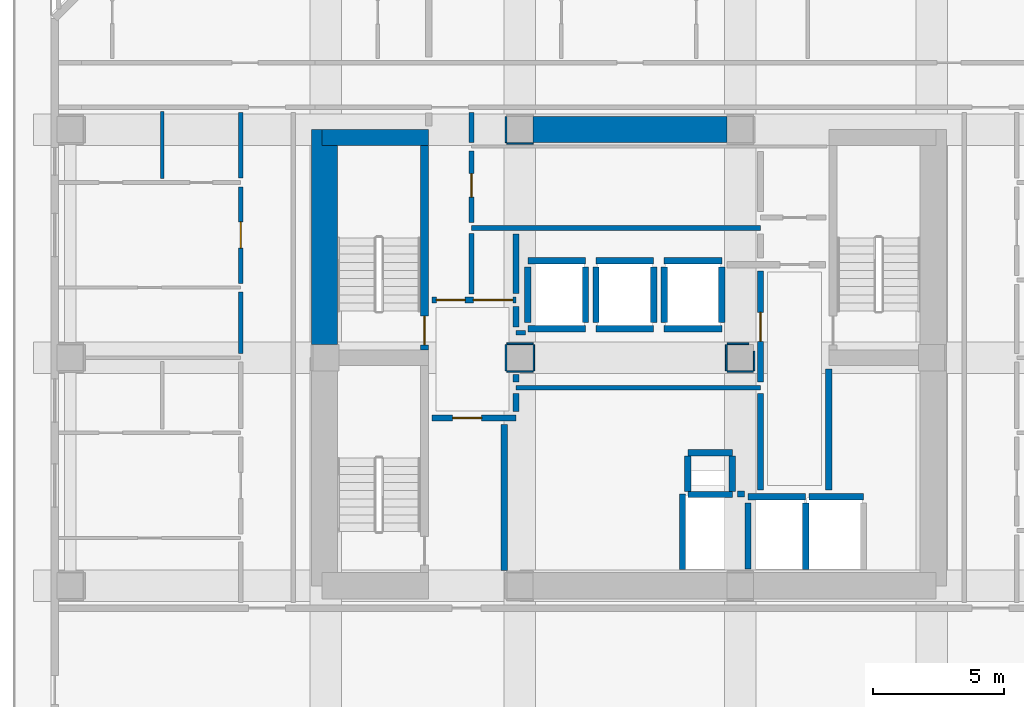
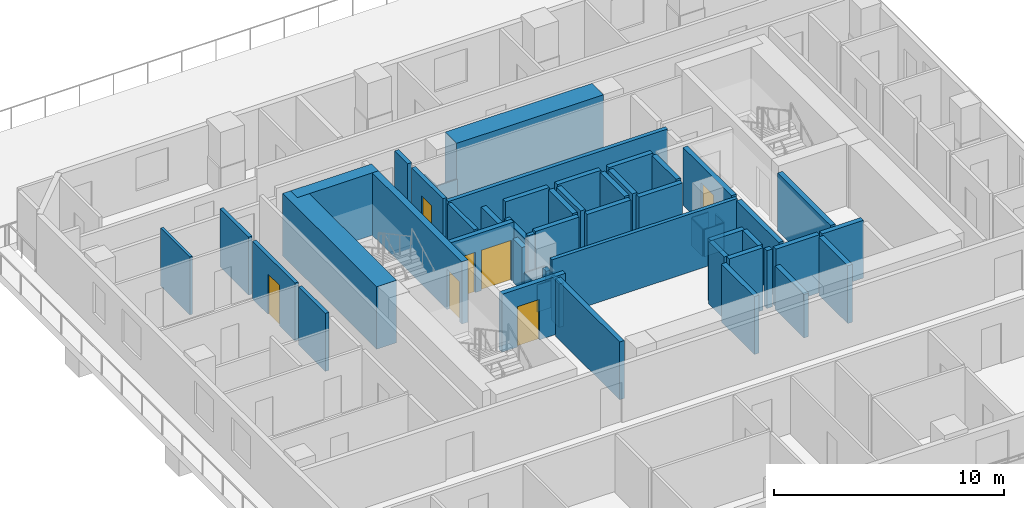
# One storey, part 4 of 11: 56 walls, 7 doors, 7 openings.
"""IFC4 building model written with IfcOpenShell, lengths in metres."""

import ifcopenshell
import ifcopenshell.guid

model = None  # the IFC model being written
_history = None  # IfcOwnerHistory: only IFC2X3 demands one
_inside = {}  # id of a spatial element -> (the spatial element, [elements in it])
_under = {}  # id of a project, library or spatial element -> (it, [spatial elements below it])
_declared = {}  # id of a project -> (the project, [libraries it declares])
_typed = {}  # id of a type object -> (the type object, [elements of that type])
_made_of = {}  # id of a material, layer set ... -> (it, [elements and type objects made of it])


def new_model(schema):
    """Start an empty IFC model of exactly this schema.

    Asked for "IFC4X3", IfcOpenShell would pick the latest addendum, in which some entities
    have other attributes; the version numbers below select the first issue.
    IFC2X3 requires an IfcOwnerHistory on every rooted entity: one is made here for all.
    """
    global model, _history
    if schema == "IFC4X3":
        model = ifcopenshell.file(schema_version=(4, 3, 0, 0))
    else:
        model = ifcopenshell.file(schema=schema)
    _inside.clear()
    _under.clear()
    _declared.clear()
    _typed.clear()
    _made_of.clear()
    _history = None
    if model.schema == "IFC2X3":
        org = make("IfcOrganization", Name="unknown")
        user = make(
            "IfcPersonAndOrganization",
            ThePerson=make("IfcPerson", FamilyName="unknown"),
            TheOrganization=org,
        )
        app = make(
            "IfcApplication",
            ApplicationDeveloper=org,
            Version="unknown",
            ApplicationFullName="unknown",
            ApplicationIdentifier="unknown",
        )
        _history = make(
            "IfcOwnerHistory",
            OwningUser=user,
            OwningApplication=app,
            ChangeAction="ADDED",
            CreationDate=0,
        )
    return model


def make(cls, **values):
    """One entity of the class cls with the attributes given. An attribute that is None is left unset."""
    return model.create_entity(
        cls, **{name: value for name, value in values.items() if value is not None}
    )


def rooted(cls, **values):
    """An entity with a GlobalId (a new one), such as an element, a storey or a relation."""
    return make(cls, GlobalId=ifcopenshell.guid.new(), OwnerHistory=_history, **values)


def si_unit(unit_type, name, prefix=None):
    """IfcSIUnit, for example si_unit("LENGTHUNIT", "METRE", prefix="MILLI")."""
    return make("IfcSIUnit", UnitType=unit_type, Prefix=prefix, Name=name)


def assignment(units):
    """IfcUnitAssignment: the units of a project."""
    return None if units is None else make("IfcUnitAssignment", Units=units)


def point(xyz):
    """IfcCartesianPoint."""
    return None if xyz is None else make("IfcCartesianPoint", Coordinates=xyz)


def direction(xyz):
    """IfcDirection."""
    return None if xyz is None else make("IfcDirection", DirectionRatios=xyz)


def frame(location, z_axis=None, x_axis=None):
    """IfcAxis2Placement3D, a coordinate frame: its origin and axes. An axis left out is left unset."""
    return make(
        "IfcAxis2Placement3D",
        Location=point(location),
        Axis=direction(z_axis),
        RefDirection=direction(x_axis),
    )


def frame_2d(location, x_axis=None):
    """IfcAxis2Placement2D, a coordinate frame in the plane: its origin and x axis."""
    return make(
        "IfcAxis2Placement2D", Location=point(location), RefDirection=direction(x_axis)
    )


def origin():
    """The frame at (0, 0, 0) with its axes left unset."""
    return frame((0.0, 0.0, 0.0))


def place(relative_to, where):
    """IfcLocalPlacement: puts the frame where relative to a parent placement (None: the world)."""
    return make(
        "IfcLocalPlacement", PlacementRelTo=relative_to, RelativePlacement=where
    )


def context(
    kind, dimensions, precision=None, world=None, true_north=None, identifier=None
):
    """IfcGeometricRepresentationContext, for example the 3D "Model" context."""
    return make(
        "IfcGeometricRepresentationContext",
        ContextIdentifier=identifier,
        ContextType=kind,
        CoordinateSpaceDimension=dimensions,
        Precision=precision,
        WorldCoordinateSystem=world,
        TrueNorth=true_north,
    )


def subcontext(parent, identifier, kind, view, scale=None):
    """IfcGeometricRepresentationSubContext, for example "Body" below "Model"."""
    return make(
        "IfcGeometricRepresentationSubContext",
        ContextIdentifier=identifier,
        ContextType=kind,
        ParentContext=parent,
        TargetScale=scale,
        TargetView=view,
    )


def project(units=None, contexts=None):
    """IfcProject with its units and contexts."""
    return rooted(
        "IfcProject",
        Name="project",
        RepresentationContexts=contexts,
        UnitsInContext=assignment(units),
    )


def spatial(cls, under=None, at=None, **own):
    """A site, building, storey or space (cls), placed at a placement, below another one or the project."""
    s = rooted(cls, ObjectPlacement=at, **own)
    if under is not None:
        _under.setdefault(under.id(), (under, []))[1].append(s)
    return s


def profile(cls, at=None, kind="AREA", **sizes):
    """A parametric profile (cls). Its sizes go by their IFC names, for example OverallWidth=200.0."""
    return make(cls, ProfileType=kind, Position=at, **sizes)


def rectangle(**sizes):
    """IfcRectangleProfileDef."""
    return profile("IfcRectangleProfileDef", **sizes)


def extrude(swept, where, along, depth):
    """IfcExtrudedAreaSolid: the profile swept, set in the frame where, extruded along a direction by depth."""
    return make(
        "IfcExtrudedAreaSolid",
        SweptArea=swept,
        Position=where,
        ExtrudedDirection=direction(along),
        Depth=depth,
    )


def shape(context_of_items, identifier, shape_type, items):
    """IfcShapeRepresentation: the items that make up one representation, for example the "Body"."""
    return make(
        "IfcShapeRepresentation",
        ContextOfItems=context_of_items,
        RepresentationIdentifier=identifier,
        RepresentationType=shape_type,
        Items=items,
    )


def material(Name=None, Category=None):
    """IfcMaterial."""
    return make("IfcMaterial", Name=Name, Category=Category)


def layer(
    of_material, thickness, ventilated=None, Name=None, Category=None, Priority=None
):
    """IfcMaterialLayer: one layer of a wall or slab, of a material (None: an air gap)."""
    return make(
        "IfcMaterialLayer",
        Material=of_material,
        LayerThickness=thickness,
        IsVentilated=ventilated,
        Name=Name,
        Category=Category,
        Priority=Priority,
    )


def layer_set(layers, Name=None):
    """IfcMaterialLayerSet."""
    return make("IfcMaterialLayerSet", MaterialLayers=layers, LayerSetName=Name)


def made_of(thing, what):
    """Note that an element or type object is made of a material, layer set ...; save() writes the relation."""
    if what is not None:
        _made_of.setdefault(what.id(), (what, []))[1].append(thing)
    return thing


def type_object(cls, material=None, **own):
    """A type object (cls), such as IfcWallType, which elements share."""
    return made_of(rooted(cls, **own), material)


def element(
    cls,
    number,
    at=None,
    inside=None,
    cuts=None,
    type_object=None,
    material=None,
    context=None,
    identifier="Body",
    shape_type=None,
    held_by="IfcProductDefinitionShape",
    body=None,
    shapes=None,
    **own,
):
    """One element of the class cls, such as IfcWall. Its Tag is "e" and its number.

    at: its placement. inside: the storey or other place that contains it. cuts: it is an
    opening in that element (IfcRelVoidsElement). A single representation is given by context,
    identifier, shape_type and body (its items); several are given by shapes. held_by: the class
    of the entity that holds the representations. save() writes the other relations.
    """
    e = rooted(cls, Tag="e%d" % number, ObjectPlacement=at, **own)
    if body is not None:
        shapes = [shape(context, identifier, shape_type, body)]
    if shapes is not None:
        e.Representation = make(held_by, Representations=shapes)
    if inside is not None:
        _inside.setdefault(inside.id(), (inside, []))[1].append(e)
    if cuts is not None:
        rooted(
            "IfcRelVoidsElement", RelatingBuildingElement=cuts, RelatedOpeningElement=e
        )
    if type_object is not None:
        _typed.setdefault(type_object.id(), (type_object, []))[1].append(e)
    return made_of(e, material)


def fill(opening, filler):
    """IfcRelFillsElement: the door or window that sits in an opening."""
    return rooted(
        "IfcRelFillsElement",
        RelatingOpeningElement=opening,
        RelatedBuildingElement=filler,
    )


def aggregate(whole, parts):
    """IfcRelAggregates: a whole, such as a stair, and the parts it consists of."""
    return rooted("IfcRelAggregates", RelatingObject=whole, RelatedObjects=parts)


def save(model, path):
    """Write the relations noted so far, then the file.

    IfcRelAggregates (storeys below a building ...), IfcRelContainedInSpatialStructure (elements
    in a storey), IfcRelDefinesByType, IfcRelAssociatesMaterial and IfcRelDeclares: one each for
    every whole, place, type object, material and project.
    """
    for whole, parts in _under.values():
        aggregate(whole, parts)
    for where, things in _inside.values():
        rooted(
            "IfcRelContainedInSpatialStructure",
            RelatedElements=things,
            RelatingStructure=where,
        )
    for kind, things in _typed.values():
        rooted("IfcRelDefinesByType", RelatedObjects=things, RelatingType=kind)
    for what, things in _made_of.values():
        rooted("IfcRelAssociatesMaterial", RelatedObjects=things, RelatingMaterial=what)
    for by, libraries in _declared.values():
        rooted("IfcRelDeclares", RelatingContext=by, RelatedDefinitions=libraries)
    model.write(path)


model = new_model("IFC4")

# Units and contexts
model_context = context("Model", 3, precision=1e-05, world=origin(), true_north=direction((0.0, 1.0)))
body_context = subcontext(model_context, "Body", "Model", "MODEL_VIEW")
ifc_project = project(units=[si_unit("LENGTHUNIT", "METRE"), si_unit("AREAUNIT", "SQUARE_METRE"), si_unit("VOLUMEUNIT", "CUBIC_METRE"), si_unit("PLANEANGLEUNIT", "RADIAN"), si_unit("MASSUNIT", "GRAM", prefix="KILO")], contexts=[model_context])

# Site, building, storey
site_placement = place(None, origin())
site = spatial("IfcSite", under=ifc_project, at=site_placement, CompositionType="ELEMENT")
building_placement = place(site_placement, origin())
building = spatial("IfcBuilding", under=site, at=building_placement, Name="Solanera Arch Residences", CompositionType="ELEMENT")
storey_placement = place(building_placement, frame((0.0, 0.0, 106.080078125)))
storey = spatial("IfcBuildingStorey", under=building, at=storey_placement, Name="L30", CompositionType="ELEMENT", Elevation=106.080078125)

# Walls
ifc_material_1 = material(Name="Fire-Rated Gypsum Stud Partition", Category="gypsum")
ifc_layer_1 = layer(ifc_material_1, 0.06005859375)
ifc_layer_set_1 = layer_set([ifc_layer_1], Name="Fire-Rated Gypsum Stud Partition")
wall_type_1 = type_object("IfcWallType", Name="Column Acoustic Furring Wall 60", PredefinedType="PARTITIONING", material=ifc_layer_set_1)
for number, where, z_axis, x_axis, name in (
    (1, (20.300048828125, 38.867919921875, 0.0), (0.0, 0.0, 1.0), (1.0, 0.0, 0.0), "L30 Column Furring 3S"),
    (2, (20.26806640625, 38.89990234375, 0.0), (0.0, 0.0, 1.0), (0.0, 1.0, 0.0), "L30 Column Furring 3W"),
    (3, (20.300048828125, 30.16796875, 0.0), (0.0, 0.0, 1.0), (1.0, 0.0, 0.0), "L30 Column Furring 7S"),
    (4, (20.300048828125, 31.23193359375, 0.0), (0.0, 0.0, 1.0), (1.0, 0.0, 0.0), "L30 Column Furring 7N"),
    (5, (20.26806640625, 30.199951171875, 0.0), (0.0, 0.0, 1.0), (0.0, 1.0, 0.0), "L30 Column Furring 7W"),
    (6, (21.33203125, 30.199951171875, 0.0), (0.0, 0.0, 1.0), (0.0, 1.0, 0.0), "L30 Column Furring 7E"),
    (7, (28.699951171875, 30.16796875, 0.0), (0.0, 0.0, 1.0), (1.0, 0.0, 0.0), "L30 Column Furring 8S"),
):
    element("IfcWall", number, at=place(storey_placement, frame(where, z_axis=z_axis, x_axis=x_axis)), inside=storey, type_object=wall_type_1, Name=name, PredefinedType="PARTITIONING", context=body_context, shape_type="SweptSolid", body=[
        extrude(rectangle(XDim=1.0, YDim=0.06005859375, at=frame_2d((0.5, 0.0))), origin(), (0.0, 0.0, 1.0), 1.449951171875),
    ])
wall_1_placement = place(storey_placement, frame((28.699951171875, 31.23193359375, 0.0), z_axis=(0.0, 0.0, 1.0), x_axis=(1.0, 0.0, 0.0)))
element("IfcWall", 8, at=wall_1_placement, inside=storey, type_object=wall_type_1, Name="L30 Column Furring 8N", PredefinedType="PARTITIONING", context=body_context, shape_type="SweptSolid", body=[
    extrude(rectangle(XDim=0.8349609375, YDim=0.06005859375, at=frame_2d((0.41748046875, 0.0))), origin(), (0.0, 0.0, 1.0), 1.449951171875),
])
wall_2_placement = place(storey_placement, frame((28.66796875, 30.199951171875, 0.0), z_axis=(0.0, 0.0, 1.0), x_axis=(0.0, 1.0, 0.0)))
element("IfcWall", 9, at=wall_2_placement, inside=storey, type_object=wall_type_1, Name="L30 Column Furring 8W", PredefinedType="PARTITIONING", context=body_context, shape_type="SweptSolid", body=[
    extrude(rectangle(XDim=1.0, YDim=0.06005859375, at=frame_2d((0.5, 0.0))), origin(), (0.0, 0.0, 1.0), 1.449951171875),
])
wall_3_placement = place(storey_placement, frame((29.73193359375, 30.199951171875, 0.0), z_axis=(0.0, 0.0, 1.0), x_axis=(0.0, 1.0, 0.0)))
element("IfcWall", 10, at=wall_3_placement, inside=storey, type_object=wall_type_1, Name="L30 Column Furring 8E", PredefinedType="PARTITIONING", context=body_context, shape_type="SweptSolid", body=[
    extrude(rectangle(XDim=0.7470703125, YDim=0.06005859375, at=frame_2d((0.37353515625, 0.0))), origin(), (0.0, 0.0, 1.0), 1.449951171875),
])
ifc_material_2 = material(Name="Concrete C55/67 (f'c = 60 MPa)", Category="concrete")
ifc_layer_2 = layer(ifc_material_2, 1.0)
ifc_layer_set_2 = layer_set([ifc_layer_2], Name="Concrete C55/67 (f'c = 60 MPa)")
wall_type_2 = type_object("IfcWallType", Name="Core Shear Wall CW-1000", PredefinedType="SHEAR", material=ifc_layer_set_2)
wall_4_placement = place(storey_placement, frame((13.340087890625, 31.205078125, 0.0), z_axis=(0.0, 0.0, 1.0), x_axis=(0.0, 1.0, 0.0)))
element("IfcWall", 11, at=wall_4_placement, inside=storey, type_object=wall_type_2, Name="L30 West Core North Shear Wall", PredefinedType="SHEAR", context=body_context, shape_type="SweptSolid", body=[
    extrude(rectangle(XDim=8.19482421875, YDim=1.0, at=frame_2d((4.097412109375, 0.0))), origin(), (0.0, 0.0, 1.0), 3.31982421875),
])
wall_5_placement = place(storey_placement, frame((21.304931640625, 39.39990234375, 0.0), z_axis=(0.0, 0.0, 1.0), x_axis=(1.0, 0.0, 0.0)))
element("IfcWall", 12, at=wall_5_placement, inside=storey, type_object=wall_type_2, Name="L30 Central North Core Shear Wall", PredefinedType="SHEAR", context=body_context, shape_type="SweptSolid", body=[
    extrude(rectangle(XDim=7.39013671875, YDim=1.0, at=frame_2d((3.695068359375, 0.0))), origin(), (0.0, 0.0, 1.0), 3.31982421875),
])

# Wall, opening, door
ifc_material_3 = material(Name="Concrete C40/50 (f'c = 45 MPa)", Category="concrete")
ifc_layer_3 = layer(ifc_material_3, 0.320068359375)
ifc_layer_set_3 = layer_set([ifc_layer_3], Name="Concrete C40/50 (f'c = 45 MPa)")
wall_type_3 = type_object("IfcWallType", Name="Core Shear Wall CW-320", PredefinedType="SHEAR", material=ifc_layer_set_3)
wall_6_placement = place(storey_placement, frame((17.159912109375, 31.0, 0.0), z_axis=(0.0, 0.0, 1.0), x_axis=(0.0, 1.0, 0.0)))
wall_6 = element("IfcWall", 13, at=wall_6_placement, inside=storey, type_object=wall_type_3, Name="L30 Stair ST-T1 East Shear Wall", PredefinedType="SHEAR", context=body_context, shape_type="SweptSolid", body=[
    extrude(rectangle(XDim=7.800048828125, YDim=0.320068359375, at=frame_2d((3.89990234375, 0.0))), origin(), (0.0, 0.0, 1.0), 3.31982421875),
])
opening_1_placement = place(wall_6_placement, frame((0.18994140625, 0.0, 0.0)))
opening_1 = element("IfcOpeningElement", 14, at=opening_1_placement, cuts=wall_6, Name="Opening DF-01", PredefinedType="OPENING", context=body_context, shape_type="SweptSolid", body=[
    extrude(rectangle(XDim=1.10009765625, YDim=2.14990234375, at=frame_2d((0.550048828125, 1.074951171875))), frame((0.0, 0.169921875, 0.0), z_axis=(0.0, -1.0, 0.0), x_axis=(1.0, 0.0, 0.0)), (0.0, 0.0, 1.0), 0.3401),
])
ifc_material_4 = material(Name="Fire-Rated Architectural Hardwood", Category="wood")
door_type_1 = type_object("IfcDoorType", Name="Stair Exit Fire Door DF-01", OperationType="NOTDEFINED", PredefinedType="DOOR", material=ifc_material_4)
door_1_placement = place(opening_1_placement, origin())
door_1 = element("IfcDoor", 15, at=door_1_placement, inside=storey, type_object=door_type_1, Name="DR-L30-STAIR-ST-T1", OperationType="SINGLE_SWING_RIGHT", OverallHeight=2.14990234375, OverallWidth=1.10009765625, PredefinedType="DOOR", context=body_context, shape_type="SweptSolid", body=[
    extrude(rectangle(XDim=1.10009765625, YDim=2.14990234375, at=frame_2d((0.550048828125, 1.074951171875))), frame((0.0, 0.02490234375, 0.0), z_axis=(0.0, -1.0, 0.0), x_axis=(1.0, 0.0, 0.0)), (0.0, 0.0, 1.0), 0.050048828125),
])
fill(opening_1, door_1)

# Walls
ifc_material_5 = material(Name="Concrete C40/50 (f'c = 45 MPa)", Category="concrete")
ifc_layer_4 = layer(ifc_material_5, 0.60009765625)
ifc_layer_set_4 = layer_set([ifc_layer_4], Name="Concrete C40/50 (f'c = 45 MPa)")
wall_type_4 = type_object("IfcWallType", Name="Core Shear Wall CW-600", PredefinedType="SHEAR", material=ifc_layer_set_4)
wall_7_placement = place(storey_placement, frame((13.239990234375, 39.10009765625, 0.0), z_axis=(0.0, 0.0, 1.0), x_axis=(1.0, 0.0, 0.0)))
element("IfcWall", 16, at=wall_7_placement, inside=storey, type_object=wall_type_4, Name="L30 North-West Core Shear Wall", PredefinedType="SHEAR", context=body_context, shape_type="SweptSolid", body=[
    extrude(rectangle(XDim=4.080078125, YDim=0.60009765625, at=frame_2d((2.0400390625, 0.0))), origin(), (0.0, 0.0, 1.0), 3.31982421875),
])
ifc_material_6 = material(Name="Autoclaved Aerated Concrete Blockwork", Category="masonry")
ifc_layer_5 = layer(ifc_material_6, 0.179931640625)
ifc_layer_set_5 = layer_set([ifc_layer_5], Name="Autoclaved Aerated Concrete Blockwork")
wall_type_5 = type_object("IfcWallType", Name="Corridor Fire Partition 180", PredefinedType="PARTITIONING", material=ifc_layer_set_5)
wall_8_placement = place(storey_placement, frame((20.64990234375, 29.550048828125, 0.0), z_axis=(0.0, 0.0, 1.0), x_axis=(1.0, 0.0, 0.0)))
element("IfcWall", 17, at=wall_8_placement, inside=storey, type_object=wall_type_5, Name="L30 Interior Partition H8", PredefinedType="PARTITIONING", context=body_context, shape_type="SweptSolid", body=[
    extrude(rectangle(XDim=9.3251953125, YDim=0.179931640625, at=frame_2d((4.66259765625, 0.0))), origin(), (0.0, 0.0, 1.0), 3.079833984375),
])
wall_9_placement = place(storey_placement, frame((20.64990234375, 31.64990234375, 0.0), z_axis=(0.0, 0.0, 1.0), x_axis=(1.0, 0.0, 0.0)))
element("IfcWall", 18, at=wall_9_placement, inside=storey, type_object=wall_type_5, Name="L30 Interior Partition H9", PredefinedType="PARTITIONING", context=body_context, shape_type="SweptSolid", body=[
    extrude(rectangle(XDim=0.357177734375, YDim=0.179931640625, at=frame_2d((0.1787109375, 0.0))), origin(), (0.0, 0.0, 1.0), 3.079833984375),
])
wall_10_placement = place(storey_placement, frame((10.14990234375, 30.867919921875, 0.0), z_axis=(0.0, 0.0, 1.0), x_axis=(0.0, 1.0, 0.0)))
element("IfcWall", 19, at=wall_10_placement, inside=storey, type_object=wall_type_5, Name="L30 Interior Partition V9 4", PredefinedType="PARTITIONING", context=body_context, shape_type="SweptSolid", body=[
    extrude(rectangle(XDim=2.34814453125, YDim=0.179931640625, at=frame_2d((1.174072265625, 0.0))), origin(), (0.0, 0.0, 1.0), 3.079833984375),
])

# Wall, opening, door
wall_11_placement = place(storey_placement, frame((10.14990234375, 33.531982421875, 0.0), z_axis=(0.0, 0.0, 1.0), x_axis=(0.0, 1.0, 0.0)))
wall_11 = element("IfcWall", 20, at=wall_11_placement, inside=storey, type_object=wall_type_5, Name="L30 Interior Partition V9 5", PredefinedType="PARTITIONING", context=body_context, shape_type="SweptSolid", body=[
    extrude(rectangle(XDim=3.68505859375, YDim=0.179931640625, at=frame_2d((1.842529296875, 0.0))), origin(), (0.0, 0.0, 1.0), 3.079833984375),
])
opening_2_placement = place(wall_11_placement, frame((1.347900390625, 0.0, 0.0)))
opening_2 = element("IfcOpeningElement", 21, at=opening_2_placement, cuts=wall_11, Name="Opening DI-01", PredefinedType="OPENING", context=body_context, shape_type="SweptSolid", body=[
    extrude(rectangle(XDim=1.0, YDim=2.14990234375, at=frame_2d((0.5, 1.074951171875))), frame((0.0, 0.10009765625, 0.0), z_axis=(0.0, -1.0, 0.0), x_axis=(1.0, 0.0, 0.0)), (0.0, 0.0, 1.0), 0.1999),
])
ifc_material_7 = material(Name="Fire-Rated Architectural Hardwood", Category="wood")
door_type_2 = type_object("IfcDoorType", Name="Unit Entrance Fire Door DI-01", OperationType="NOTDEFINED", PredefinedType="DOOR", material=ifc_material_7)
door_2_placement = place(opening_2_placement, origin())
door_2 = element("IfcDoor", 22, at=door_2_placement, inside=storey, type_object=door_type_2, Name="DR-L30-IN-040", OperationType="SINGLE_SWING_LEFT", OverallHeight=2.14990234375, OverallWidth=1.0, PredefinedType="DOOR", context=body_context, shape_type="SweptSolid", body=[
    extrude(rectangle(XDim=1.0, YDim=2.14990234375, at=frame_2d((0.5, 1.074951171875))), frame((0.0, 0.02490234375, 0.0), z_axis=(0.0, -1.0, 0.0), x_axis=(1.0, 0.0, 0.0)), (0.0, 0.0, 1.0), 0.050048828125),
])
fill(opening_2, door_2)

# Walls
wall_12_placement = place(storey_placement, frame((10.14990234375, 37.552978515625, 0.0), z_axis=(0.0, 0.0, 1.0), x_axis=(0.0, 1.0, 0.0)))
element("IfcWall", 23, at=wall_12_placement, inside=storey, type_object=wall_type_5, Name="L30 Interior Partition V9 6", PredefinedType="PARTITIONING", context=body_context, shape_type="SweptSolid", body=[
    extrude(rectangle(XDim=2.509033203125, YDim=0.179931640625, at=frame_2d((1.25439453125, 0.0))), origin(), (0.0, 0.0, 1.0), 3.079833984375),
])
ifc_material_8 = material(Name="Autoclaved Aerated Concrete Blockwork", Category="masonry")
ifc_layer_6 = layer(ifc_material_8, 0.199951171875)
ifc_layer_set_6 = layer_set([ifc_layer_6], Name="Autoclaved Aerated Concrete Blockwork")
wall_type_6 = type_object("IfcWallType", Name="Party Wall Acoustic 200", PredefinedType="PARTITIONING", material=ifc_layer_set_6)
wall_13_placement = place(storey_placement, frame((18.949951171875, 35.64990234375, 0.0), z_axis=(0.0, 0.0, 1.0), x_axis=(1.0, 0.0, 0.0)))
element("IfcWall", 24, at=wall_13_placement, inside=storey, type_object=wall_type_6, Name="L30 Interior Partition H6", PredefinedType="PARTITIONING", context=body_context, shape_type="SweptSolid", body=[
    extrude(rectangle(XDim=11.025146484375, YDim=0.199951171875, at=frame_2d((5.5126953125, 0.0))), origin(), (0.0, 0.0, 1.0), 3.079833984375),
])
wall_14_placement = place(storey_placement, frame((18.949951171875, 33.1279296875, 0.0), z_axis=(0.0, 0.0, 1.0), x_axis=(0.0, 1.0, 0.0)))
element("IfcWall", 25, at=wall_14_placement, inside=storey, type_object=wall_type_6, Name="L30 Interior Partition V7 1", PredefinedType="PARTITIONING", context=body_context, shape_type="SweptSolid", body=[
    extrude(rectangle(XDim=2.31396484375, YDim=0.199951171875, at=frame_2d((1.156982421875, 0.0))), origin(), (0.0, 0.0, 1.0), 3.079833984375),
])

# Wall, opening, door
wall_15_placement = place(storey_placement, frame((18.949951171875, 35.85791015625, 0.0), z_axis=(0.0, 0.0, 1.0), x_axis=(0.0, 1.0, 0.0)))
wall_15 = element("IfcWall", 26, at=wall_15_placement, inside=storey, type_object=wall_type_6, Name="L30 Interior Partition V7 2", PredefinedType="PARTITIONING", context=body_context, shape_type="SweptSolid", body=[
    extrude(rectangle(XDim=2.72412109375, YDim=0.199951171875, at=frame_2d((1.362060546875, 0.0))), origin(), (0.0, 0.0, 1.0), 3.079833984375),
])
opening_3_placement = place(wall_15_placement, frame((0.967041015625, 0.0, 0.0)))
opening_3 = element("IfcOpeningElement", 27, at=opening_3_placement, cuts=wall_15, Name="Opening DI-02", PredefinedType="OPENING", context=body_context, shape_type="SweptSolid", body=[
    extrude(rectangle(XDim=0.89990234375, YDim=2.10009765625, at=frame_2d((0.449951171875, 1.050048828125))), frame((0.0, 0.110107421875, 0.0), z_axis=(0.0, -1.0, 0.0), x_axis=(1.0, 0.0, 0.0)), (0.0, 0.0, 1.0), 0.22),
])
ifc_material_9 = material(Name="Fire-Rated Architectural Hardwood", Category="wood")
door_type_3 = type_object("IfcDoorType", Name="Suite Room Swing Door DI-02", OperationType="NOTDEFINED", PredefinedType="DOOR", material=ifc_material_9)
door_3_placement = place(opening_3_placement, origin())
door_3 = element("IfcDoor", 28, at=door_3_placement, inside=storey, type_object=door_type_3, Name="DR-L30-IN-016", OperationType="SINGLE_SWING_LEFT", OverallHeight=2.10009765625, OverallWidth=0.89990234375, PredefinedType="DOOR", context=body_context, shape_type="SweptSolid", body=[
    extrude(rectangle(XDim=0.89990234375, YDim=2.10009765625, at=frame_2d((0.449951171875, 1.050048828125))), frame((0.0, 0.02490234375, 0.0), z_axis=(0.0, -1.0, 0.0), x_axis=(1.0, 0.0, 0.0)), (0.0, 0.0, 1.0), 0.050048828125),
])
fill(opening_3, door_3)

# Walls
wall_16_placement = place(storey_placement, frame((18.949951171875, 38.91796875, 0.0), z_axis=(0.0, 0.0, 1.0), x_axis=(0.0, 1.0, 0.0)))
element("IfcWall", 29, at=wall_16_placement, inside=storey, type_object=wall_type_6, Name="L30 Interior Partition V7 3", PredefinedType="PARTITIONING", context=body_context, shape_type="SweptSolid", body=[
    extrude(rectangle(XDim=1.134033203125, YDim=0.199951171875, at=frame_2d((0.56689453125, 0.0))), origin(), (0.0, 0.0, 1.0), 3.079833984375),
])
ifc_material_10 = material(Name="Concrete C40/50 (f'c = 45 MPa)", Category="concrete")
ifc_layer_7 = layer(ifc_material_10, 0.239990234375)
ifc_layer_set_7 = layer_set([ifc_layer_7], Name="Concrete C40/50 (f'c = 45 MPa)")
wall_type_7 = type_object("IfcWallType", Name="Ramp Bearing Shear Wall RW-240", PredefinedType="SHEAR", material=ifc_layer_set_7)
for number, where, z_axis, x_axis, name in (
    (30, (27.199951171875, 25.47998046875, 0.0), (0.0, 0.0, 1.0), (1.0, 0.0, 0.0), "L30 Core MEP Riser South Shaft Wall"),
    (31, (27.199951171875, 27.080078125, 0.0), (0.0, 0.0, 1.0), (1.0, 0.0, 0.0), "L30 Core MEP Riser North Shaft Wall"),
):
    element("IfcWall", number, at=place(storey_placement, frame(where, z_axis=z_axis, x_axis=x_axis)), inside=storey, type_object=wall_type_7, Name=name, PredefinedType="SHEAR", context=body_context, shape_type="SweptSolid", body=[
        extrude(rectangle(XDim=1.699951171875, YDim=0.239990234375, at=frame_2d((0.85009765625, 0.0))), origin(), (0.0, 0.0, 1.0), 3.31982421875),
    ])
for number, where, z_axis, x_axis, name in (
    (32, (27.199951171875, 25.60009765625, 0.0), (0.0, 0.0, 1.0), (0.0, 1.0, 0.0), "L30 Core MEP Riser West Shaft Wall"),
    (33, (28.89990234375, 25.60009765625, 0.0), (0.0, 0.0, 1.0), (0.0, 1.0, 0.0), "L30 Core MEP Riser East Shaft Wall"),
):
    element("IfcWall", number, at=place(storey_placement, frame(where, z_axis=z_axis, x_axis=x_axis)), inside=storey, type_object=wall_type_7, Name=name, PredefinedType="SHEAR", context=body_context, shape_type="SweptSolid", body=[
        extrude(rectangle(XDim=1.35986328125, YDim=0.239990234375, at=frame_2d((0.679931640625, 0.0))), origin(), (0.0, 0.0, 1.0), 3.31982421875),
    ])
ifc_material_11 = material(Name="Autoclaved Aerated Concrete Blockwork", Category="masonry")
ifc_layer_8 = layer(ifc_material_11, 0.239990234375)
ifc_layer_set_8 = layer_set([ifc_layer_8], Name="Autoclaved Aerated Concrete Blockwork")
wall_type_8 = type_object("IfcWallType", Name="Shaft Wall Fire-Rated 240", PredefinedType="PARTITIONING", material=ifc_layer_set_8)
for number, where, z_axis, x_axis, name in (
    (34, (21.10009765625, 31.800048828125, 0.0), (0.0, 0.0, 1.0), (1.0, 0.0, 0.0), "L30 Lift PL-M1 Hoistway Wall S"),
    (35, (21.10009765625, 34.39990234375, 0.0), (0.0, 0.0, 1.0), (1.0, 0.0, 0.0), "L30 Lift PL-M1 Hoistway Wall N"),
):
    element("IfcWall", number, at=place(storey_placement, frame(where, z_axis=z_axis, x_axis=x_axis)), inside=storey, type_object=wall_type_8, Name=name, PredefinedType="PARTITIONING", context=body_context, shape_type="SweptSolid", body=[
        extrude(rectangle(XDim=2.199951171875, YDim=0.239990234375, at=frame_2d((1.10009765625, 0.0))), origin(), (0.0, 0.0, 1.0), 3.079833984375),
    ])
wall_17_placement = place(storey_placement, frame((21.10009765625, 32.048095703125, 0.0), z_axis=(0.0, 0.0, 1.0), x_axis=(0.0, 1.0, 0.0)))
element("IfcWall", 36, at=wall_17_placement, inside=storey, type_object=wall_type_8, Name="L30 Lift PL-M1 Hoistway Wall W", PredefinedType="PARTITIONING", context=body_context, shape_type="SweptSolid", body=[
    extrude(rectangle(XDim=2.10400390625, YDim=0.239990234375, at=frame_2d((1.052001953125, 0.0))), origin(), (0.0, 0.0, 1.0), 2.31494140625),
])
wall_18_placement = place(storey_placement, frame((23.300048828125, 32.048095703125, 0.0), z_axis=(0.0, 0.0, 1.0), x_axis=(0.0, 1.0, 0.0)))
element("IfcWall", 37, at=wall_18_placement, inside=storey, type_object=wall_type_8, Name="L30 Lift PL-M1 Hoistway Wall E", PredefinedType="PARTITIONING", context=body_context, shape_type="SweptSolid", body=[
    extrude(rectangle(XDim=2.10400390625, YDim=0.239990234375, at=frame_2d((1.052001953125, 0.0))), origin(), (0.0, 0.0, 1.0), 3.079833984375),
])
for number, where, z_axis, x_axis, name in (
    (38, (23.699951171875, 31.800048828125, 0.0), (0.0, 0.0, 1.0), (1.0, 0.0, 0.0), "L30 Lift PL-M2 Hoistway Wall S"),
    (39, (23.699951171875, 34.39990234375, 0.0), (0.0, 0.0, 1.0), (1.0, 0.0, 0.0), "L30 Lift PL-M2 Hoistway Wall N"),
):
    element("IfcWall", number, at=place(storey_placement, frame(where, z_axis=z_axis, x_axis=x_axis)), inside=storey, type_object=wall_type_8, Name=name, PredefinedType="PARTITIONING", context=body_context, shape_type="SweptSolid", body=[
        extrude(rectangle(XDim=2.199951171875, YDim=0.239990234375, at=frame_2d((1.10009765625, 0.0))), origin(), (0.0, 0.0, 1.0), 3.079833984375),
    ])
for number, where, z_axis, x_axis, name in (
    (40, (23.699951171875, 32.048095703125, 0.0), (0.0, 0.0, 1.0), (0.0, 1.0, 0.0), "L30 Lift PL-M2 Hoistway Wall W"),
    (41, (25.89990234375, 32.048095703125, 0.0), (0.0, 0.0, 1.0), (0.0, 1.0, 0.0), "L30 Lift PL-M2 Hoistway Wall E"),
):
    element("IfcWall", number, at=place(storey_placement, frame(where, z_axis=z_axis, x_axis=x_axis)), inside=storey, type_object=wall_type_8, Name=name, PredefinedType="PARTITIONING", context=body_context, shape_type="SweptSolid", body=[
        extrude(rectangle(XDim=2.10400390625, YDim=0.239990234375, at=frame_2d((1.052001953125, 0.0))), origin(), (0.0, 0.0, 1.0), 3.079833984375),
    ])
for number, where, z_axis, x_axis, name in (
    (42, (26.300048828125, 31.800048828125, 0.0), (0.0, 0.0, 1.0), (1.0, 0.0, 0.0), "L30 Lift PL-M3 Hoistway Wall S"),
    (43, (26.300048828125, 34.39990234375, 0.0), (0.0, 0.0, 1.0), (1.0, 0.0, 0.0), "L30 Lift PL-M3 Hoistway Wall N"),
):
    element("IfcWall", number, at=place(storey_placement, frame(where, z_axis=z_axis, x_axis=x_axis)), inside=storey, type_object=wall_type_8, Name=name, PredefinedType="PARTITIONING", context=body_context, shape_type="SweptSolid", body=[
        extrude(rectangle(XDim=2.199951171875, YDim=0.239990234375, at=frame_2d((1.10009765625, 0.0))), origin(), (0.0, 0.0, 1.0), 3.079833984375),
    ])
for number, where, z_axis, x_axis, name in (
    (44, (26.300048828125, 32.048095703125, 0.0), (0.0, 0.0, 1.0), (0.0, 1.0, 0.0), "L30 Lift PL-M3 Hoistway Wall W"),
    (45, (28.5, 32.048095703125, 0.0), (0.0, 0.0, 1.0), (0.0, 1.0, 0.0), "L30 Lift PL-M3 Hoistway Wall E"),
):
    element("IfcWall", number, at=place(storey_placement, frame(where, z_axis=z_axis, x_axis=x_axis)), inside=storey, type_object=wall_type_8, Name=name, PredefinedType="PARTITIONING", context=body_context, shape_type="SweptSolid", body=[
        extrude(rectangle(XDim=2.10400390625, YDim=0.239990234375, at=frame_2d((1.052001953125, 0.0))), origin(), (0.0, 0.0, 1.0), 3.079833984375),
    ])
wall_19_placement = place(storey_placement, frame((29.5, 25.39990234375, 0.0), z_axis=(0.0, 0.0, 1.0), x_axis=(1.0, 0.0, 0.0)))
element("IfcWall", 46, at=wall_19_placement, inside=storey, type_object=wall_type_8, Name="L30 Lift FFL-1 Hoistway Wall N", PredefinedType="PARTITIONING", context=body_context, shape_type="SweptSolid", body=[
    extrude(rectangle(XDim=2.199951171875, YDim=0.239990234375, at=frame_2d((1.10009765625, 0.0))), origin(), (0.0, 0.0, 1.0), 3.079833984375),
])
wall_20_placement = place(storey_placement, frame((29.5, 22.632080078125, 0.0), z_axis=(0.0, 0.0, 1.0), x_axis=(0.0, 1.0, 0.0)))
element("IfcWall", 47, at=wall_20_placement, inside=storey, type_object=wall_type_8, Name="L30 Lift FFL-1 Hoistway Wall W", PredefinedType="PARTITIONING", context=body_context, shape_type="SweptSolid", body=[
    extrude(rectangle(XDim=2.52001953125, YDim=0.239990234375, at=frame_2d((1.260009765625, 0.0))), origin(), (0.0, 0.0, 1.0), 2.31494140625),
])
wall_21_placement = place(storey_placement, frame((31.699951171875, 22.6298828125, 0.0), z_axis=(0.0, 0.0, 1.0), x_axis=(0.0, 1.0, 0.0)))
element("IfcWall", 48, at=wall_21_placement, inside=storey, type_object=wall_type_8, Name="L30 Lift FFL-1 Hoistway Wall E", PredefinedType="PARTITIONING", context=body_context, shape_type="SweptSolid", body=[
    extrude(rectangle(XDim=2.522216796875, YDim=0.239990234375, at=frame_2d((1.26123046875, 0.0))), origin(), (0.0, 0.0, 1.0), 3.079833984375),
])
wall_22_placement = place(storey_placement, frame((31.827880859375, 25.39990234375, 0.0), z_axis=(0.0, 0.0, 1.0), x_axis=(1.0, 0.0, 0.0)))
element("IfcWall", 49, at=wall_22_placement, inside=storey, type_object=wall_type_8, Name="L30 Lift FFL-2 Hoistway Wall N", PredefinedType="PARTITIONING", context=body_context, shape_type="SweptSolid", body=[
    extrude(rectangle(XDim=2.072021484375, YDim=0.239990234375, at=frame_2d((1.0361328125, 0.0))), origin(), (0.0, 0.0, 1.0), 3.079833984375),
])
wall_23_placement = place(storey_placement, frame((29.10302734375, 25.5, 0.0), z_axis=(0.0, 0.0, 1.0), x_axis=(1.0, 0.0, 0.0)))
element("IfcWall", 50, at=wall_23_placement, inside=storey, type_object=wall_type_8, Name="L30 Lift SVL-1 Hoistway Wall N", PredefinedType="PARTITIONING", context=body_context, shape_type="SweptSolid", body=[
    extrude(rectangle(XDim=0.26904296875, YDim=0.239990234375, at=frame_2d((0.134521484375, 0.0))), origin(), (0.0, 0.0, 1.0), 3.079833984375),
])
wall_24_placement = place(storey_placement, frame((27.0, 22.6298828125, 0.0), z_axis=(0.0, 0.0, 1.0), x_axis=(0.0, 1.0, 0.0)))
element("IfcWall", 51, at=wall_24_placement, inside=storey, type_object=wall_type_8, Name="L30 Lift SVL-1 Hoistway Wall W", PredefinedType="PARTITIONING", context=body_context, shape_type="SweptSolid", body=[
    extrude(rectangle(XDim=2.8681640625, YDim=0.239990234375, at=frame_2d((1.43408203125, 0.0))), origin(), (0.0, 0.0, 1.0), 3.079833984375),
])

# Wall, opening, door
wall_25_placement = place(storey_placement, frame((17.449951171875, 28.39990234375, 0.0), z_axis=(0.0, 0.0, 1.0), x_axis=(1.0, 0.0, 0.0)))
wall_25 = element("IfcWall", 52, at=wall_25_placement, inside=storey, type_object=wall_type_8, Name="L30 Interior Partition H3", PredefinedType="PARTITIONING", context=body_context, shape_type="SweptSolid", body=[
    extrude(rectangle(XDim=3.199951171875, YDim=0.239990234375, at=frame_2d((1.60009765625, 0.0))), origin(), (0.0, 0.0, 1.0), 3.079833984375),
])
opening_4_placement = place(wall_25_placement, frame((0.783935546875, 0.0, 0.0)))
opening_4 = element("IfcOpeningElement", 53, at=opening_4_placement, cuts=wall_25, Name="Opening DF-02", PredefinedType="OPENING", context=body_context, shape_type="SweptSolid", body=[
    extrude(rectangle(XDim=1.10009765625, YDim=2.14990234375, at=frame_2d((0.550048828125, 1.074951171875))), frame((0.0, 0.1298828125, 0.0), z_axis=(0.0, -1.0, 0.0), x_axis=(1.0, 0.0, 0.0)), (0.0, 0.0, 1.0), 0.26),
])
ifc_material_12 = material(Name="Fire-Rated Architectural Hardwood", Category="wood")
door_type_4 = type_object("IfcDoorType", Name="Firefighting Lobby Fire Door DF-02", OperationType="NOTDEFINED", PredefinedType="DOOR", material=ifc_material_12)
door_4_placement = place(opening_4_placement, origin())
door_4 = element("IfcDoor", 54, at=door_4_placement, inside=storey, type_object=door_type_4, Name="DR-L30-IN-004", OperationType="SINGLE_SWING_LEFT", OverallHeight=2.14990234375, OverallWidth=1.10009765625, PredefinedType="DOOR", context=body_context, shape_type="SweptSolid", body=[
    extrude(rectangle(XDim=1.10009765625, YDim=2.14990234375, at=frame_2d((0.550048828125, 1.074951171875))), frame((0.0, 0.02490234375, 0.0), z_axis=(0.0, -1.0, 0.0), x_axis=(1.0, 0.0, 0.0)), (0.0, 0.0, 1.0), 0.050048828125),
])
fill(opening_4, door_4)

# Wall, openings, doors
wall_26_placement = place(storey_placement, frame((17.449951171875, 32.89990234375, 0.0), z_axis=(0.0, 0.0, 1.0), x_axis=(1.0, 0.0, 0.0)))
wall_26 = element("IfcWall", 55, at=wall_26_placement, inside=storey, type_object=wall_type_8, Name="L30 Interior Partition H4", PredefinedType="PARTITIONING", context=body_context, shape_type="SweptSolid", body=[
    extrude(rectangle(XDim=3.199951171875, YDim=0.239990234375, at=frame_2d((1.60009765625, 0.0))), origin(), (0.0, 0.0, 1.0), 3.079833984375),
])
opening_5_placement = place(wall_26_placement, frame((0.158935546875, 0.0, 0.0)))
opening_5 = element("IfcOpeningElement", 56, at=opening_5_placement, cuts=wall_26, Name="Opening DF-02", PredefinedType="OPENING", context=body_context, shape_type="SweptSolid", body=[
    extrude(rectangle(XDim=1.10009765625, YDim=2.14990234375, at=frame_2d((0.550048828125, 1.074951171875))), frame((0.0, 0.1298828125, 0.0), z_axis=(0.0, -1.0, 0.0), x_axis=(1.0, 0.0, 0.0)), (0.0, 0.0, 1.0), 0.26),
])
opening_6_placement = place(wall_26_placement, frame((1.575927734375, 0.0, 0.0)))
opening_6 = element("IfcOpeningElement", 57, at=opening_6_placement, cuts=wall_26, Name="Opening DP-01", PredefinedType="OPENING", context=body_context, shape_type="SweptSolid", body=[
    extrude(rectangle(XDim=1.5, YDim=2.14990234375, at=frame_2d((0.75, 1.074951171875))), frame((0.0, 0.1298828125, 0.0), z_axis=(0.0, -1.0, 0.0), x_axis=(1.0, 0.0, 0.0)), (0.0, 0.0, 1.0), 0.26),
])
door_5_placement = place(opening_5_placement, origin())
door_5 = element("IfcDoor", 58, at=door_5_placement, inside=storey, type_object=door_type_4, Name="DR-L30-IN-005", OperationType="SINGLE_SWING_RIGHT", OverallHeight=2.14990234375, OverallWidth=1.10009765625, PredefinedType="DOOR", context=body_context, shape_type="SweptSolid", body=[
    extrude(rectangle(XDim=1.10009765625, YDim=2.14990234375, at=frame_2d((0.550048828125, 1.074951171875))), frame((0.0, 0.02490234375, 0.0), z_axis=(0.0, -1.0, 0.0), x_axis=(1.0, 0.0, 0.0)), (0.0, 0.0, 1.0), 0.050048828125),
])
fill(opening_5, door_5)
ifc_material_13 = material(Name="Fire-Rated Architectural Hardwood", Category="wood")
door_type_5 = type_object("IfcDoorType", Name="Plant Double Fire Door DP-01", OperationType="NOTDEFINED", PredefinedType="DOOR", material=ifc_material_13)
door_6_placement = place(opening_6_placement, origin())
door_6 = element("IfcDoor", 59, at=door_6_placement, inside=storey, type_object=door_type_5, Name="DR-L30-IN-014", OperationType="SINGLE_SWING_LEFT", OverallHeight=2.14990234375, OverallWidth=1.5, PredefinedType="DOOR", context=body_context, shape_type="SweptSolid", body=[
    extrude(rectangle(XDim=1.5, YDim=2.14990234375, at=frame_2d((0.75, 1.074951171875))), frame((0.0, 0.02490234375, 0.0), z_axis=(0.0, -1.0, 0.0), x_axis=(1.0, 0.0, 0.0)), (0.0, 0.0, 1.0), 0.050048828125),
])
fill(opening_6, door_6)

# Walls
wall_27_placement = place(storey_placement, frame((20.199951171875, 22.5859375, 0.0), z_axis=(0.0, 0.0, 1.0), x_axis=(0.0, 1.0, 0.0)))
element("IfcWall", 60, at=wall_27_placement, inside=storey, type_object=wall_type_8, Name="L30 Interior Partition V3", PredefinedType="PARTITIONING", context=body_context, shape_type="SweptSolid", body=[
    extrude(rectangle(XDim=5.566162109375, YDim=0.239990234375, at=frame_2d((2.783203125, 0.0))), origin(), (0.0, 0.0, 1.0), 3.079833984375),
])
wall_28_placement = place(storey_placement, frame((20.64990234375, 28.64794921875, 0.0), z_axis=(0.0, 0.0, 1.0), x_axis=(0.0, 1.0, 0.0)))
element("IfcWall", 61, at=wall_28_placement, inside=storey, type_object=wall_type_8, Name="L30 Interior Partition V4 1", PredefinedType="PARTITIONING", context=body_context, shape_type="SweptSolid", body=[
    extrude(rectangle(XDim=0.68408203125, YDim=0.239990234375, at=frame_2d((0.342041015625, 0.0))), origin(), (0.0, 0.0, 1.0), 2.31494140625),
])
wall_29_placement = place(storey_placement, frame((20.64990234375, 29.76806640625, 0.0), z_axis=(0.0, 0.0, 1.0), x_axis=(0.0, 1.0, 0.0)))
element("IfcWall", 62, at=wall_29_placement, inside=storey, type_object=wall_type_8, Name="L30 Interior Partition V4 2", PredefinedType="PARTITIONING", context=body_context, shape_type="SweptSolid", body=[
    extrude(rectangle(XDim=0.300048828125, YDim=0.239990234375, at=frame_2d((0.14990234375, 0.0))), origin(), (0.0, 0.0, 1.0), 2.31494140625),
])
wall_30_placement = place(storey_placement, frame((20.64990234375, 31.867919921875, 0.0), z_axis=(0.0, 0.0, 1.0), x_axis=(0.0, 1.0, 0.0)))
element("IfcWall", 63, at=wall_30_placement, inside=storey, type_object=wall_type_8, Name="L30 Interior Partition V4 3", PredefinedType="PARTITIONING", context=body_context, shape_type="SweptSolid", body=[
    extrude(rectangle(XDim=0.7841796875, YDim=0.239990234375, at=frame_2d((0.39208984375, 0.0))), origin(), (0.0, 0.0, 1.0), 2.31494140625),
])
wall_31_placement = place(storey_placement, frame((20.64990234375, 33.14794921875, 0.0), z_axis=(0.0, 0.0, 1.0), x_axis=(0.0, 1.0, 0.0)))
element("IfcWall", 64, at=wall_31_placement, inside=storey, type_object=wall_type_8, Name="L30 Interior Partition V4 4", PredefinedType="PARTITIONING", context=body_context, shape_type="SweptSolid", body=[
    extrude(rectangle(XDim=2.274169921875, YDim=0.239990234375, at=frame_2d((1.13720703125, 0.0))), origin(), (0.0, 0.0, 1.0), 2.31494140625),
])
wall_32_placement = place(storey_placement, frame((29.97509765625, 25.64794921875, 0.0), z_axis=(0.0, 0.0, 1.0), x_axis=(0.0, 1.0, 0.0)))
element("IfcWall", 65, at=wall_32_placement, inside=storey, type_object=wall_type_8, Name="L30 Interior Partition V5 1", PredefinedType="PARTITIONING", context=body_context, shape_type="SweptSolid", body=[
    extrude(rectangle(XDim=3.68408203125, YDim=0.239990234375, at=frame_2d((1.842041015625, 0.0))), origin(), (0.0, 0.0, 1.0), 3.079833984375),
])

# Wall, opening, door
wall_33_placement = place(storey_placement, frame((29.97509765625, 29.76806640625, 0.0), z_axis=(0.0, 0.0, 1.0), x_axis=(0.0, 1.0, 0.0)))
wall_33 = element("IfcWall", 66, at=wall_33_placement, inside=storey, type_object=wall_type_8, Name="L30 Interior Partition V5 2", PredefinedType="PARTITIONING", context=body_context, shape_type="SweptSolid", body=[
    extrude(rectangle(XDim=4.23388671875, YDim=0.239990234375, at=frame_2d((2.116943359375, 0.0))), origin(), (0.0, 0.0, 1.0), 3.079833984375),
])
opening_7_placement = place(wall_33_placement, frame((1.556884765625, 0.0, 0.0)))
opening_7 = element("IfcOpeningElement", 67, at=opening_7_placement, cuts=wall_33, Name="Opening DF-02", PredefinedType="OPENING", context=body_context, shape_type="SweptSolid", body=[
    extrude(rectangle(XDim=1.10009765625, YDim=2.14990234375, at=frame_2d((0.550048828125, 1.074951171875))), frame((0.0, 0.1298828125, 0.0), z_axis=(0.0, -1.0, 0.0), x_axis=(1.0, 0.0, 0.0)), (0.0, 0.0, 1.0), 0.26),
])
door_7_placement = place(opening_7_placement, origin())
door_7 = element("IfcDoor", 68, at=door_7_placement, inside=storey, type_object=door_type_4, Name="DR-L30-IN-006", OperationType="SINGLE_SWING_LEFT", OverallHeight=2.14990234375, OverallWidth=1.10009765625, PredefinedType="DOOR", context=body_context, shape_type="SweptSolid", body=[
    extrude(rectangle(XDim=1.10009765625, YDim=2.14990234375, at=frame_2d((0.550048828125, 1.074951171875))), frame((0.0, 0.02490234375, 0.0), z_axis=(0.0, -1.0, 0.0), x_axis=(1.0, 0.0, 0.0)), (0.0, 0.0, 1.0), 0.050048828125),
])
fill(opening_7, door_7)

# Walls
wall_34_placement = place(storey_placement, frame((32.580078125, 25.64794921875, 0.0), z_axis=(0.0, 0.0, 1.0), x_axis=(0.0, 1.0, 0.0)))
element("IfcWall", 69, at=wall_34_placement, inside=storey, type_object=wall_type_8, Name="L30 Interior Partition V6", PredefinedType="PARTITIONING", context=body_context, shape_type="SweptSolid", body=[
    extrude(rectangle(XDim=4.6220703125, YDim=0.239990234375, at=frame_2d((2.31103515625, 0.0))), origin(), (0.0, 0.0, 1.0), 3.079833984375),
])
ifc_material_14 = material(Name="Autoclaved Aerated Concrete Blockwork", Category="masonry")
ifc_layer_9 = layer(ifc_material_14, 0.139892578125)
ifc_layer_set_9 = layer_set([ifc_layer_9], Name="Autoclaved Aerated Concrete Blockwork")
wall_type_9 = type_object("IfcWallType", Name="Wet-Room Partition 140", PredefinedType="PARTITIONING", material=ifc_layer_set_9)
wall_35_placement = place(storey_placement, frame((7.162109375, 37.532958984375, 0.0), z_axis=(0.0, 0.0, 1.0), x_axis=(0.0, 1.0, 0.0)))
element("IfcWall", 70, at=wall_35_placement, inside=storey, type_object=wall_type_9, Name="L30 Interior Partition V18", PredefinedType="PARTITIONING", context=body_context, shape_type="SweptSolid", body=[
    extrude(rectangle(XDim=2.549072265625, YDim=0.139892578125, at=frame_2d((1.2744140625, 0.0))), origin(), (0.0, 0.0, 1.0), 3.079833984375),
])

save(model, "model.ifc")
